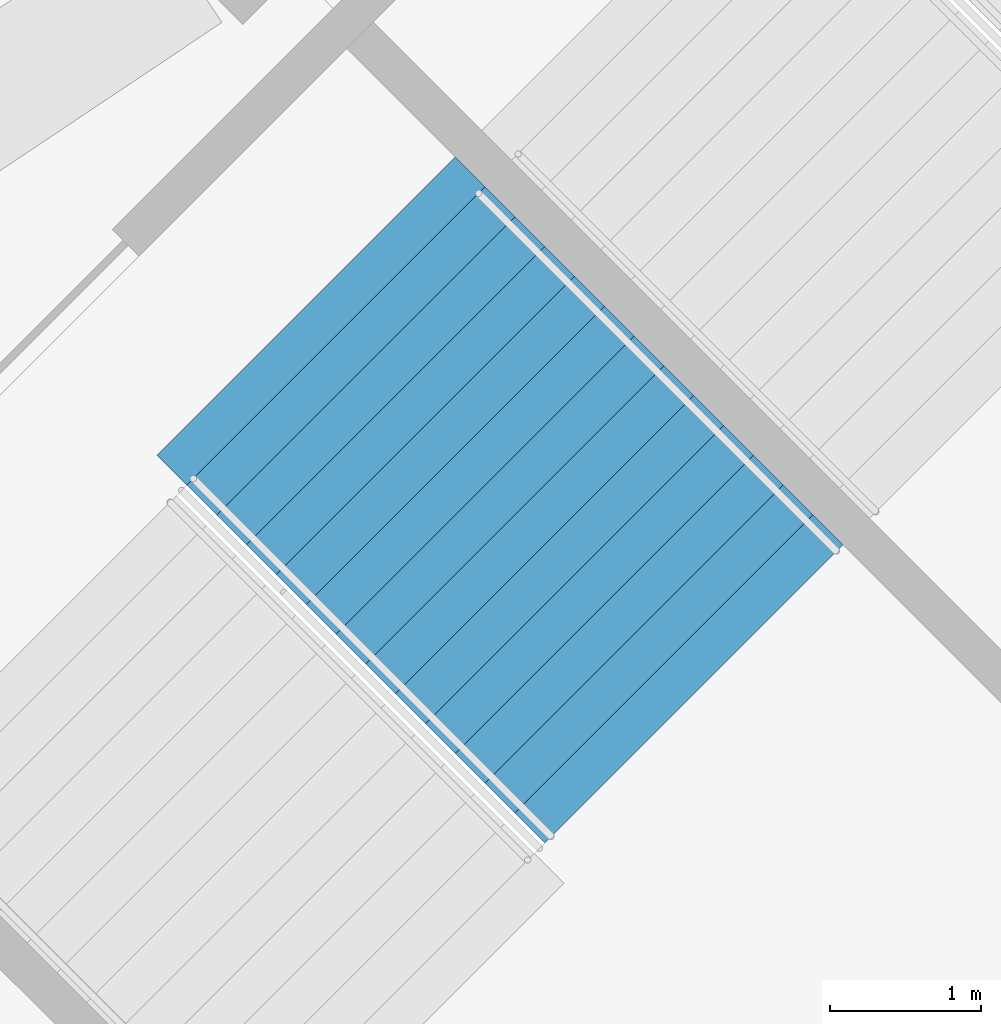
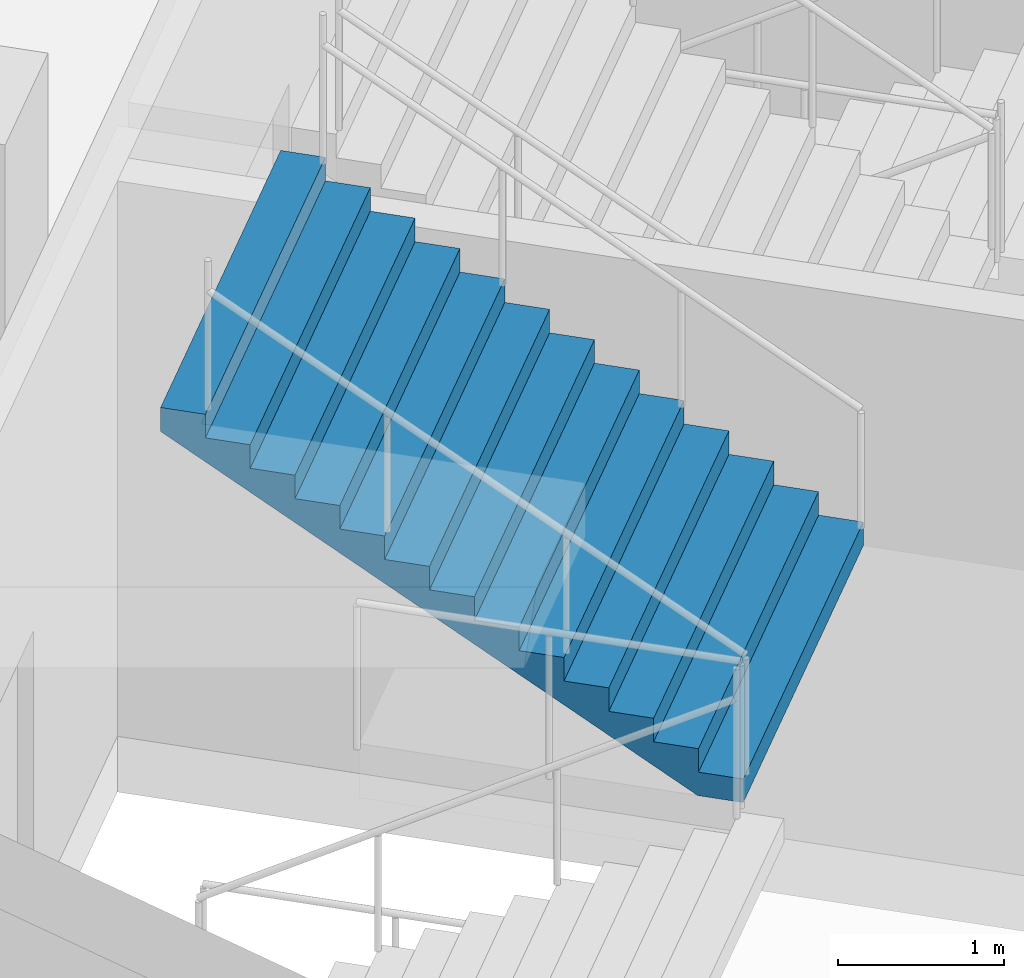
# One storey, part 170 of 249: 1 stair flight, 1 element without a shape of its own.
"""IFC4 building model written with IfcOpenShell, lengths in metres."""

from ifc_helpers import new_model, si_unit, direction, frame, origin, place, context, subcontext, project, spatial, faceted_brep, material, type_object, element, aggregate, save


model = new_model("IFC4")

# Units and contexts
model_context = context("Model", 3, precision=1e-05, world=origin(), true_north=direction((0.0, 1.0)))
body_context = subcontext(model_context, "Body", "Model", "MODEL_VIEW")
ifc_project = project(units=[si_unit("LENGTHUNIT", "METRE"), si_unit("AREAUNIT", "SQUARE_METRE"), si_unit("VOLUMEUNIT", "CUBIC_METRE"), si_unit("PLANEANGLEUNIT", "RADIAN"), si_unit("MASSUNIT", "GRAM", prefix="KILO")], contexts=[model_context])

# Site, building, storey
site_placement = place(None, origin())
site = spatial("IfcSite", under=ifc_project, at=site_placement, CompositionType="ELEMENT")
building_placement = place(site_placement, origin())
building = spatial("IfcBuilding", under=site, at=building_placement, Name="Ogive Plaza Stadium", CompositionType="ELEMENT")
storey_placement = place(building_placement, frame((0.0, 0.0, 13.5)))
storey = spatial("IfcBuildingStorey", under=building, at=storey_placement, Name="L03", CompositionType="ELEMENT", Elevation=13.5)

# Stair, stair flight
ifc_material_1 = material(Name="Concrete C40/50", Category="concrete")
stair_type = type_object("IfcStairType", Name="Exit stair", PredefinedType="STRAIGHT_RUN_STAIR", material=ifc_material_1)
stair_placement = place(storey_placement, origin())
stair = element("IfcStair", 1, at=stair_placement, inside=storey, type_object=stair_type, Name="Exit stair ST10A L03 to L04", PredefinedType="STRAIGHT_RUN_STAIR")
ifc_material_2 = material(Name="Concrete C40/50", Category="concrete")
stair_flight_type = type_object("IfcStairFlightType", Name="Exit stair flight", PredefinedType="STRAIGHT", material=ifc_material_2)
stair_flight_placement = place(storey_placement, frame((65.243408203125, -85.900146484375, 2.25), z_axis=(0.0, 0.0, 1.0), x_axis=(-0.707106781187, 0.707106781187, 0.0)))
stair_flight = element("IfcStairFlight", 2, at=stair_flight_placement, type_object=stair_flight_type, Name="ST10A flight 2", NumberOfRisers=13, NumberOfTreads=12, PredefinedType="STRAIGHT", RiserHeight=0.173076923, TreadLength=0.28, context=body_context, shape_type="Brep", body=[
    faceted_brep([(0.28515625, -1.39990234375, 0.0), (3.639892578125, -1.39990234375, 2.07373046875), (3.639892578125, -1.39990234375, 2.25), (3.360107421875, -1.39990234375, 2.25), (3.360107421875, -1.39990234375, 2.076904296875), (3.080078125, -1.39990234375, 2.076904296875), (3.080078125, -1.39990234375, 1.90380859375), (2.800048828125, -1.39990234375, 1.90380859375), (2.800048828125, -1.39990234375, 1.730712890625), (2.52001953125, -1.39990234375, 1.730712890625), (2.52001953125, -1.39990234375, 1.5576171875), (2.239990234375, -1.39990234375, 1.5576171875), (2.239990234375, -1.39990234375, 1.384521484375), (1.9599609375, -1.39990234375, 1.384521484375), (1.9599609375, -1.39990234375, 1.21142578125), (1.679931640625, -1.39990234375, 1.21142578125), (1.679931640625, -1.39990234375, 1.03857421875), (1.39990234375, -1.39990234375, 1.03857421875), (1.39990234375, -1.39990234375, 0.865478515625), (1.1201171875, -1.39990234375, 0.865478515625), (1.1201171875, -1.39990234375, 0.6923828125), (0.840087890625, -1.39990234375, 0.6923828125), (0.840087890625, -1.39990234375, 0.519287109375), (0.56005859375, -1.39990234375, 0.519287109375), (0.56005859375, -1.39990234375, 0.34619140625), (0.280029296875, -1.39990234375, 0.34619140625), (0.280029296875, -1.39990234375, 0.173095703125), (0.0, -1.39990234375, 0.173095703125), (0.0, -1.39990234375, 0.0), (0.0, 1.39990234375, 0.0), (0.0, 1.39990234375, 0.173095703125), (0.280029296875, 1.39990234375, 0.173095703125), (0.280029296875, 1.39990234375, 0.34619140625), (0.56005859375, 1.39990234375, 0.34619140625), (0.56005859375, 1.39990234375, 0.519287109375), (0.840087890625, 1.39990234375, 0.519287109375), (0.840087890625, 1.39990234375, 0.6923828125), (1.1201171875, 1.39990234375, 0.6923828125), (1.1201171875, 1.39990234375, 0.865478515625), (1.39990234375, 1.39990234375, 0.865478515625), (1.39990234375, 1.39990234375, 1.03857421875), (1.679931640625, 1.39990234375, 1.03857421875), (1.679931640625, 1.39990234375, 1.21142578125), (1.9599609375, 1.39990234375, 1.21142578125), (1.9599609375, 1.39990234375, 1.384521484375), (2.239990234375, 1.39990234375, 1.384521484375), (2.239990234375, 1.39990234375, 1.5576171875), (2.52001953125, 1.39990234375, 1.5576171875), (2.52001953125, 1.39990234375, 1.730712890625), (2.800048828125, 1.39990234375, 1.730712890625), (2.800048828125, 1.39990234375, 1.90380859375), (3.080078125, 1.39990234375, 1.90380859375), (3.080078125, 1.39990234375, 2.076904296875), (3.360107421875, 1.39990234375, 2.076904296875), (3.360107421875, 1.39990234375, 2.25), (3.639892578125, 1.39990234375, 2.25), (3.639892578125, 1.39990234375, 2.07373046875), (0.28515625, 1.39990234375, 0.0), (0.28515625, -1.0888671875, 0.0), (3.639892578125, -1.0888671875, 2.07373046875), (0.28515625, -0.77783203125, 0.0), (3.639892578125, -0.77783203125, 2.07373046875), (0.28515625, -0.466796875, 0.0), (3.639892578125, -0.466796875, 2.07373046875), (0.28515625, -0.155517578125, 0.0), (3.639892578125, -0.155517578125, 2.07373046875), (0.28515625, 0.155517578125, 0.0), (3.639892578125, 0.155517578125, 2.07373046875), (0.28515625, 0.466796875, 0.0), (3.639892578125, 0.466796875, 2.07373046875), (0.28515625, 0.77783203125, 0.0), (3.639892578125, 0.77783203125, 2.07373046875), (0.28515625, 1.0888671875, 0.0), (3.639892578125, 1.0888671875, 2.07373046875), (3.639892578125, -1.0888671875, 2.25), (3.639892578125, -0.77783203125, 2.25), (3.639892578125, -0.466796875, 2.25), (3.639892578125, -0.155517578125, 2.25), (3.639892578125, 0.155517578125, 2.25), (3.639892578125, 0.466796875, 2.25), (3.639892578125, 0.77783203125, 2.25), (3.639892578125, 1.0888671875, 2.25), (3.360107421875, -1.0888671875, 2.25), (3.360107421875, -0.77783203125, 2.25), (3.360107421875, -0.466796875, 2.25), (3.360107421875, -0.155517578125, 2.25), (3.360107421875, 0.155517578125, 2.25), (3.360107421875, 0.466796875, 2.25), (3.360107421875, 0.77783203125, 2.25), (3.360107421875, 1.0888671875, 2.25), (3.360107421875, -1.0888671875, 2.076904296875), (3.360107421875, -0.77783203125, 2.076904296875), (3.360107421875, -0.466796875, 2.076904296875), (3.360107421875, -0.155517578125, 2.076904296875), (3.360107421875, 0.155517578125, 2.076904296875), (3.360107421875, 0.466796875, 2.076904296875), (3.360107421875, 0.77783203125, 2.076904296875), (3.360107421875, 1.0888671875, 2.076904296875), (3.080078125, -1.0888671875, 2.076904296875), (3.080078125, -0.77783203125, 2.076904296875), (3.080078125, -0.466796875, 2.076904296875), (3.080078125, -0.155517578125, 2.076904296875), (3.080078125, 0.155517578125, 2.076904296875), (3.080078125, 0.466796875, 2.076904296875), (3.080078125, 0.77783203125, 2.076904296875), (3.080078125, 1.0888671875, 2.076904296875), (3.080078125, -1.0888671875, 1.90380859375), (3.080078125, -0.77783203125, 1.90380859375), (3.080078125, -0.466796875, 1.90380859375), (3.080078125, -0.155517578125, 1.90380859375), (3.080078125, 0.155517578125, 1.90380859375), (3.080078125, 0.466796875, 1.90380859375), (3.080078125, 0.77783203125, 1.90380859375), (3.080078125, 1.0888671875, 1.90380859375), (2.800048828125, -1.0888671875, 1.90380859375), (2.800048828125, -0.77783203125, 1.90380859375), (2.800048828125, -0.466796875, 1.90380859375), (2.800048828125, -0.155517578125, 1.90380859375), (2.800048828125, 0.155517578125, 1.90380859375), (2.800048828125, 0.466796875, 1.90380859375), (2.800048828125, 0.77783203125, 1.90380859375), (2.800048828125, 1.0888671875, 1.90380859375), (2.800048828125, -1.0888671875, 1.730712890625), (2.800048828125, -0.77783203125, 1.730712890625), (2.800048828125, -0.466796875, 1.730712890625), (2.800048828125, -0.155517578125, 1.730712890625), (2.800048828125, 0.155517578125, 1.730712890625), (2.800048828125, 0.466796875, 1.730712890625), (2.800048828125, 0.77783203125, 1.730712890625), (2.800048828125, 1.0888671875, 1.730712890625), (2.52001953125, -1.0888671875, 1.730712890625), (2.52001953125, -0.77783203125, 1.730712890625), (2.52001953125, -0.466796875, 1.730712890625), (2.52001953125, -0.155517578125, 1.730712890625), (2.52001953125, 0.155517578125, 1.730712890625), (2.52001953125, 0.466796875, 1.730712890625), (2.52001953125, 0.77783203125, 1.730712890625), (2.52001953125, 1.0888671875, 1.730712890625), (2.52001953125, -1.0888671875, 1.5576171875), (2.52001953125, -0.77783203125, 1.5576171875), (2.52001953125, -0.466796875, 1.5576171875), (2.52001953125, -0.155517578125, 1.5576171875), (2.52001953125, 0.155517578125, 1.5576171875), (2.52001953125, 0.466796875, 1.5576171875), (2.52001953125, 0.77783203125, 1.5576171875), (2.52001953125, 1.0888671875, 1.5576171875), (2.239990234375, -1.0888671875, 1.5576171875), (2.239990234375, -0.77783203125, 1.5576171875), (2.239990234375, -0.466796875, 1.5576171875), (2.239990234375, -0.155517578125, 1.5576171875), (2.239990234375, 0.155517578125, 1.5576171875), (2.239990234375, 0.466796875, 1.5576171875), (2.239990234375, 0.77783203125, 1.5576171875), (2.239990234375, 1.0888671875, 1.5576171875), (2.239990234375, -1.0888671875, 1.384521484375), (2.239990234375, -0.77783203125, 1.384521484375), (2.239990234375, -0.466796875, 1.384521484375), (2.239990234375, -0.155517578125, 1.384521484375), (2.239990234375, 0.155517578125, 1.384521484375), (2.239990234375, 0.466796875, 1.384521484375), (2.239990234375, 0.77783203125, 1.384521484375), (2.239990234375, 1.0888671875, 1.384521484375), (1.9599609375, -1.0888671875, 1.384521484375), (1.9599609375, -0.77783203125, 1.384521484375), (1.9599609375, -0.466796875, 1.384521484375), (1.9599609375, -0.155517578125, 1.384521484375), (1.9599609375, 0.155517578125, 1.384521484375), (1.9599609375, 0.466796875, 1.384521484375), (1.9599609375, 0.77783203125, 1.384521484375), (1.9599609375, 1.0888671875, 1.384521484375), (1.9599609375, -1.0888671875, 1.21142578125), (1.9599609375, -0.77783203125, 1.21142578125), (1.9599609375, -0.466796875, 1.21142578125), (1.9599609375, -0.155517578125, 1.21142578125), (1.9599609375, 0.155517578125, 1.21142578125), (1.9599609375, 0.466796875, 1.21142578125), (1.9599609375, 0.77783203125, 1.21142578125), (1.9599609375, 1.0888671875, 1.21142578125), (1.679931640625, -1.0888671875, 1.21142578125), (1.679931640625, -0.77783203125, 1.21142578125), (1.679931640625, -0.466796875, 1.21142578125), (1.679931640625, -0.155517578125, 1.21142578125), (1.679931640625, 0.155517578125, 1.21142578125), (1.679931640625, 0.466796875, 1.21142578125), (1.679931640625, 0.77783203125, 1.21142578125), (1.679931640625, 1.0888671875, 1.21142578125), (1.679931640625, -1.0888671875, 1.03857421875), (1.679931640625, -0.77783203125, 1.03857421875), (1.679931640625, -0.466796875, 1.03857421875), (1.679931640625, -0.155517578125, 1.03857421875), (1.679931640625, 0.155517578125, 1.03857421875), (1.679931640625, 0.466796875, 1.03857421875), (1.679931640625, 0.77783203125, 1.03857421875), (1.679931640625, 1.0888671875, 1.03857421875), (1.39990234375, -1.0888671875, 1.03857421875), (1.39990234375, -0.77783203125, 1.03857421875), (1.39990234375, -0.466796875, 1.03857421875), (1.39990234375, -0.155517578125, 1.03857421875), (1.39990234375, 0.155517578125, 1.03857421875), (1.39990234375, 0.466796875, 1.03857421875), (1.39990234375, 0.77783203125, 1.03857421875), (1.39990234375, 1.0888671875, 1.03857421875), (1.39990234375, -1.0888671875, 0.865478515625), (1.39990234375, -0.77783203125, 0.865478515625), (1.39990234375, -0.466796875, 0.865478515625), (1.39990234375, -0.155517578125, 0.865478515625), (1.39990234375, 0.155517578125, 0.865478515625), (1.39990234375, 0.466796875, 0.865478515625), (1.39990234375, 0.77783203125, 0.865478515625), (1.39990234375, 1.0888671875, 0.865478515625), (1.1201171875, -1.0888671875, 0.865478515625), (1.1201171875, -0.77783203125, 0.865478515625), (1.1201171875, -0.466796875, 0.865478515625), (1.1201171875, -0.155517578125, 0.865478515625), (1.1201171875, 0.155517578125, 0.865478515625), (1.1201171875, 0.466796875, 0.865478515625), (1.1201171875, 0.77783203125, 0.865478515625), (1.1201171875, 1.0888671875, 0.865478515625), (1.1201171875, -1.0888671875, 0.6923828125), (1.1201171875, -0.77783203125, 0.6923828125), (1.1201171875, -0.466796875, 0.6923828125), (1.1201171875, -0.155517578125, 0.6923828125), (1.1201171875, 0.155517578125, 0.6923828125), (1.1201171875, 0.466796875, 0.6923828125), (1.1201171875, 0.77783203125, 0.6923828125), (1.1201171875, 1.0888671875, 0.6923828125), (0.840087890625, -1.0888671875, 0.6923828125), (0.840087890625, -0.77783203125, 0.6923828125), (0.840087890625, -0.466796875, 0.6923828125), (0.840087890625, -0.155517578125, 0.6923828125), (0.840087890625, 0.155517578125, 0.6923828125), (0.840087890625, 0.466796875, 0.6923828125), (0.840087890625, 0.77783203125, 0.6923828125), (0.840087890625, 1.0888671875, 0.6923828125), (0.840087890625, -1.0888671875, 0.519287109375), (0.840087890625, -0.77783203125, 0.519287109375), (0.840087890625, -0.466796875, 0.519287109375), (0.840087890625, -0.155517578125, 0.519287109375), (0.840087890625, 0.155517578125, 0.519287109375), (0.840087890625, 0.466796875, 0.519287109375), (0.840087890625, 0.77783203125, 0.519287109375), (0.840087890625, 1.0888671875, 0.519287109375), (0.56005859375, -1.0888671875, 0.519287109375), (0.56005859375, -0.77783203125, 0.519287109375), (0.56005859375, -0.466796875, 0.519287109375), (0.56005859375, -0.155517578125, 0.519287109375), (0.56005859375, 0.155517578125, 0.519287109375), (0.56005859375, 0.466796875, 0.519287109375), (0.56005859375, 0.77783203125, 0.519287109375), (0.56005859375, 1.0888671875, 0.519287109375), (0.56005859375, -1.0888671875, 0.34619140625), (0.56005859375, -0.77783203125, 0.34619140625), (0.56005859375, -0.466796875, 0.34619140625), (0.56005859375, -0.155517578125, 0.34619140625), (0.56005859375, 0.155517578125, 0.34619140625), (0.56005859375, 0.466796875, 0.34619140625), (0.56005859375, 0.77783203125, 0.34619140625), (0.56005859375, 1.0888671875, 0.34619140625), (0.280029296875, -1.0888671875, 0.34619140625), (0.280029296875, -0.77783203125, 0.34619140625), (0.280029296875, -0.466796875, 0.34619140625), (0.280029296875, -0.155517578125, 0.34619140625), (0.280029296875, 0.155517578125, 0.34619140625), (0.280029296875, 0.466796875, 0.34619140625), (0.280029296875, 0.77783203125, 0.34619140625), (0.280029296875, 1.0888671875, 0.34619140625), (0.280029296875, -1.0888671875, 0.173095703125), (0.280029296875, -0.77783203125, 0.173095703125), (0.280029296875, -0.466796875, 0.173095703125), (0.280029296875, -0.155517578125, 0.173095703125), (0.280029296875, 0.155517578125, 0.173095703125), (0.280029296875, 0.466796875, 0.173095703125), (0.280029296875, 0.77783203125, 0.173095703125), (0.280029296875, 1.0888671875, 0.173095703125), (0.0, -1.0888671875, 0.173095703125), (0.0, -0.77783203125, 0.173095703125), (0.0, -0.466796875, 0.173095703125), (0.0, -0.155517578125, 0.173095703125), (0.0, 0.155517578125, 0.173095703125), (0.0, 0.466796875, 0.173095703125), (0.0, 0.77783203125, 0.173095703125), (0.0, 1.0888671875, 0.173095703125), (0.0, -1.0888671875, 0.0), (0.0, -0.77783203125, 0.0), (0.0, -0.466796875, 0.0), (0.0, -0.155517578125, 0.0), (0.0, 0.155517578125, 0.0), (0.0, 0.466796875, 0.0), (0.0, 0.77783203125, 0.0), (0.0, 1.0888671875, 0.0)], [[[0, 1, 2, 3, 4, 5, 6, 7, 8, 9, 10, 11, 12, 13, 14, 15, 16, 17, 18, 19, 20, 21, 22, 23, 24, 25, 26, 27, 28]], [[29, 30, 31, 32, 33, 34, 35, 36, 37, 38, 39, 40, 41, 42, 43, 44, 45, 46, 47, 48, 49, 50, 51, 52, 53, 54, 55, 56, 57]], [[0, 58, 59, 1]], [[58, 60, 61, 59]], [[60, 62, 63, 61]], [[62, 64, 65, 63]], [[64, 66, 67, 65]], [[66, 68, 69, 67]], [[68, 70, 71, 69]], [[70, 72, 73, 71]], [[72, 57, 56, 73]], [[1, 59, 74, 2]], [[59, 61, 75, 74]], [[61, 63, 76, 75]], [[63, 65, 77, 76]], [[65, 67, 78, 77]], [[67, 69, 79, 78]], [[69, 71, 80, 79]], [[71, 73, 81, 80]], [[73, 56, 55, 81]], [[2, 74, 82, 3]], [[74, 75, 83, 82]], [[75, 76, 84, 83]], [[76, 77, 85, 84]], [[77, 78, 86, 85]], [[78, 79, 87, 86]], [[79, 80, 88, 87]], [[80, 81, 89, 88]], [[81, 55, 54, 89]], [[3, 82, 90, 4]], [[82, 83, 91, 90]], [[83, 84, 92, 91]], [[84, 85, 93, 92]], [[85, 86, 94, 93]], [[86, 87, 95, 94]], [[87, 88, 96, 95]], [[88, 89, 97, 96]], [[89, 54, 53, 97]], [[4, 90, 98, 5]], [[90, 91, 99, 98]], [[91, 92, 100, 99]], [[92, 93, 101, 100]], [[93, 94, 102, 101]], [[94, 95, 103, 102]], [[95, 96, 104, 103]], [[96, 97, 105, 104]], [[97, 53, 52, 105]], [[5, 98, 106, 6]], [[98, 99, 107, 106]], [[99, 100, 108, 107]], [[100, 101, 109, 108]], [[101, 102, 110, 109]], [[102, 103, 111, 110]], [[103, 104, 112, 111]], [[104, 105, 113, 112]], [[105, 52, 51, 113]], [[6, 106, 114, 7]], [[106, 107, 115, 114]], [[107, 108, 116, 115]], [[108, 109, 117, 116]], [[109, 110, 118, 117]], [[110, 111, 119, 118]], [[111, 112, 120, 119]], [[112, 113, 121, 120]], [[113, 51, 50, 121]], [[7, 114, 122, 8]], [[114, 115, 123, 122]], [[115, 116, 124, 123]], [[116, 117, 125, 124]], [[117, 118, 126, 125]], [[118, 119, 127, 126]], [[119, 120, 128, 127]], [[120, 121, 129, 128]], [[121, 50, 49, 129]], [[8, 122, 130, 9]], [[122, 123, 131, 130]], [[123, 124, 132, 131]], [[124, 125, 133, 132]], [[125, 126, 134, 133]], [[126, 127, 135, 134]], [[127, 128, 136, 135]], [[128, 129, 137, 136]], [[129, 49, 48, 137]], [[9, 130, 138, 10]], [[130, 131, 139, 138]], [[131, 132, 140, 139]], [[132, 133, 141, 140]], [[133, 134, 142, 141]], [[134, 135, 143, 142]], [[135, 136, 144, 143]], [[136, 137, 145, 144]], [[137, 48, 47, 145]], [[10, 138, 146, 11]], [[138, 139, 147, 146]], [[139, 140, 148, 147]], [[140, 141, 149, 148]], [[141, 142, 150, 149]], [[142, 143, 151, 150]], [[143, 144, 152, 151]], [[144, 145, 153, 152]], [[145, 47, 46, 153]], [[11, 146, 154, 12]], [[146, 147, 155, 154]], [[147, 148, 156, 155]], [[148, 149, 157, 156]], [[149, 150, 158, 157]], [[150, 151, 159, 158]], [[151, 152, 160, 159]], [[152, 153, 161, 160]], [[153, 46, 45, 161]], [[12, 154, 162, 13]], [[154, 155, 163, 162]], [[155, 156, 164, 163]], [[156, 157, 165, 164]], [[157, 158, 166, 165]], [[158, 159, 167, 166]], [[159, 160, 168, 167]], [[160, 161, 169, 168]], [[161, 45, 44, 169]], [[13, 162, 170, 14]], [[162, 163, 171, 170]], [[163, 164, 172, 171]], [[164, 165, 173, 172]], [[165, 166, 174, 173]], [[166, 167, 175, 174]], [[167, 168, 176, 175]], [[168, 169, 177, 176]], [[169, 44, 43, 177]], [[14, 170, 178, 15]], [[170, 171, 179, 178]], [[171, 172, 180, 179]], [[172, 173, 181, 180]], [[173, 174, 182, 181]], [[174, 175, 183, 182]], [[175, 176, 184, 183]], [[176, 177, 185, 184]], [[177, 43, 42, 185]], [[15, 178, 186, 16]], [[178, 179, 187, 186]], [[179, 180, 188, 187]], [[180, 181, 189, 188]], [[181, 182, 190, 189]], [[182, 183, 191, 190]], [[183, 184, 192, 191]], [[184, 185, 193, 192]], [[185, 42, 41, 193]], [[16, 186, 194, 17]], [[186, 187, 195, 194]], [[187, 188, 196, 195]], [[188, 189, 197, 196]], [[189, 190, 198, 197]], [[190, 191, 199, 198]], [[191, 192, 200, 199]], [[192, 193, 201, 200]], [[193, 41, 40, 201]], [[17, 194, 202, 18]], [[194, 195, 203, 202]], [[195, 196, 204, 203]], [[196, 197, 205, 204]], [[197, 198, 206, 205]], [[198, 199, 207, 206]], [[199, 200, 208, 207]], [[200, 201, 209, 208]], [[201, 40, 39, 209]], [[18, 202, 210, 19]], [[202, 203, 211, 210]], [[203, 204, 212, 211]], [[204, 205, 213, 212]], [[205, 206, 214, 213]], [[206, 207, 215, 214]], [[207, 208, 216, 215]], [[208, 209, 217, 216]], [[209, 39, 38, 217]], [[19, 210, 218, 20]], [[210, 211, 219, 218]], [[211, 212, 220, 219]], [[212, 213, 221, 220]], [[213, 214, 222, 221]], [[214, 215, 223, 222]], [[215, 216, 224, 223]], [[216, 217, 225, 224]], [[217, 38, 37, 225]], [[20, 218, 226, 21]], [[218, 219, 227, 226]], [[219, 220, 228, 227]], [[220, 221, 229, 228]], [[221, 222, 230, 229]], [[222, 223, 231, 230]], [[223, 224, 232, 231]], [[224, 225, 233, 232]], [[225, 37, 36, 233]], [[21, 226, 234, 22]], [[226, 227, 235, 234]], [[227, 228, 236, 235]], [[228, 229, 237, 236]], [[229, 230, 238, 237]], [[230, 231, 239, 238]], [[231, 232, 240, 239]], [[232, 233, 241, 240]], [[233, 36, 35, 241]], [[22, 234, 242, 23]], [[234, 235, 243, 242]], [[235, 236, 244, 243]], [[236, 237, 245, 244]], [[237, 238, 246, 245]], [[238, 239, 247, 246]], [[239, 240, 248, 247]], [[240, 241, 249, 248]], [[241, 35, 34, 249]], [[23, 242, 250, 24]], [[242, 243, 251, 250]], [[243, 244, 252, 251]], [[244, 245, 253, 252]], [[245, 246, 254, 253]], [[246, 247, 255, 254]], [[247, 248, 256, 255]], [[248, 249, 257, 256]], [[249, 34, 33, 257]], [[24, 250, 258, 25]], [[250, 251, 259, 258]], [[251, 252, 260, 259]], [[252, 253, 261, 260]], [[253, 254, 262, 261]], [[254, 255, 263, 262]], [[255, 256, 264, 263]], [[256, 257, 265, 264]], [[257, 33, 32, 265]], [[25, 258, 266, 26]], [[258, 259, 267, 266]], [[259, 260, 268, 267]], [[260, 261, 269, 268]], [[261, 262, 270, 269]], [[262, 263, 271, 270]], [[263, 264, 272, 271]], [[264, 265, 273, 272]], [[265, 32, 31, 273]], [[26, 266, 274, 27]], [[266, 267, 275, 274]], [[267, 268, 276, 275]], [[268, 269, 277, 276]], [[269, 270, 278, 277]], [[270, 271, 279, 278]], [[271, 272, 280, 279]], [[272, 273, 281, 280]], [[273, 31, 30, 281]], [[27, 274, 282, 28]], [[274, 275, 283, 282]], [[275, 276, 284, 283]], [[276, 277, 285, 284]], [[277, 278, 286, 285]], [[278, 279, 287, 286]], [[279, 280, 288, 287]], [[280, 281, 289, 288]], [[281, 30, 29, 289]], [[28, 282, 58, 0]], [[282, 283, 60, 58]], [[283, 284, 62, 60]], [[284, 285, 64, 62]], [[285, 286, 66, 64]], [[286, 287, 68, 66]], [[287, 288, 70, 68]], [[288, 289, 72, 70]], [[289, 29, 57, 72]]]),
])
aggregate(stair, [stair_flight])

save(model, "model.ifc")
